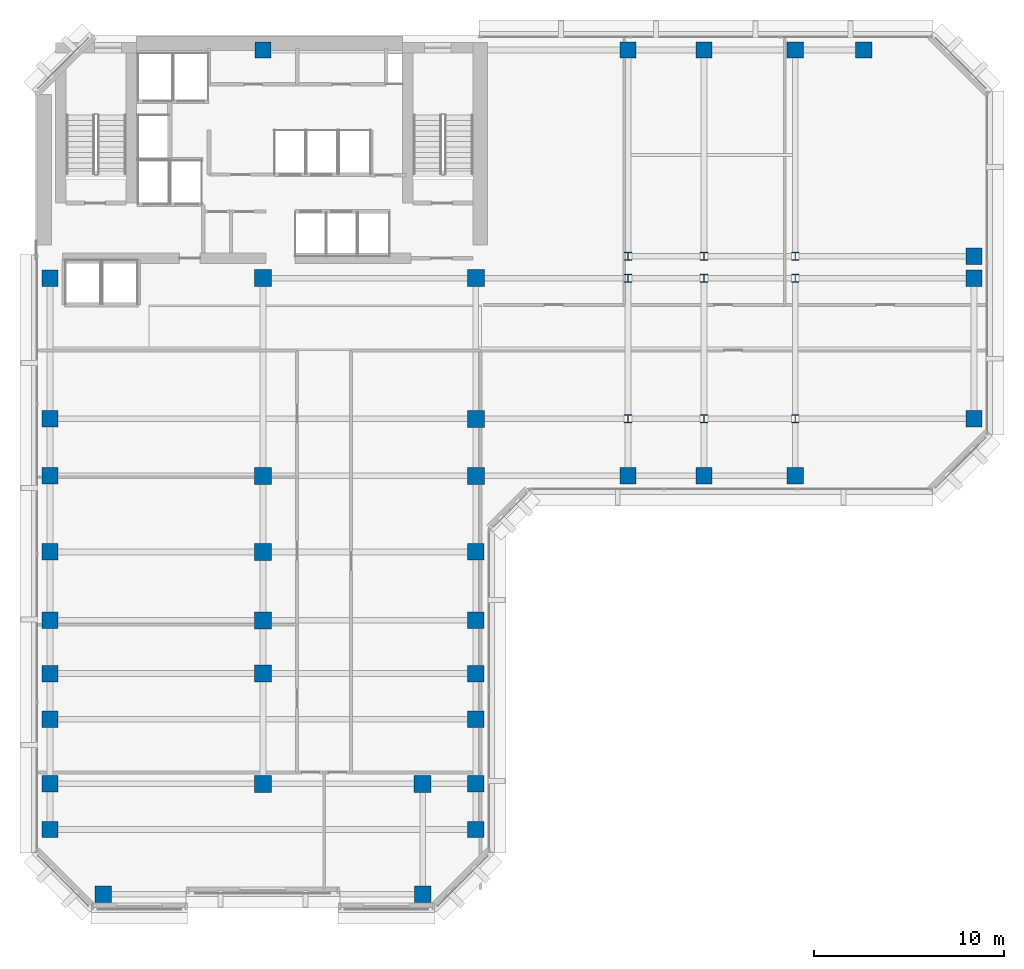
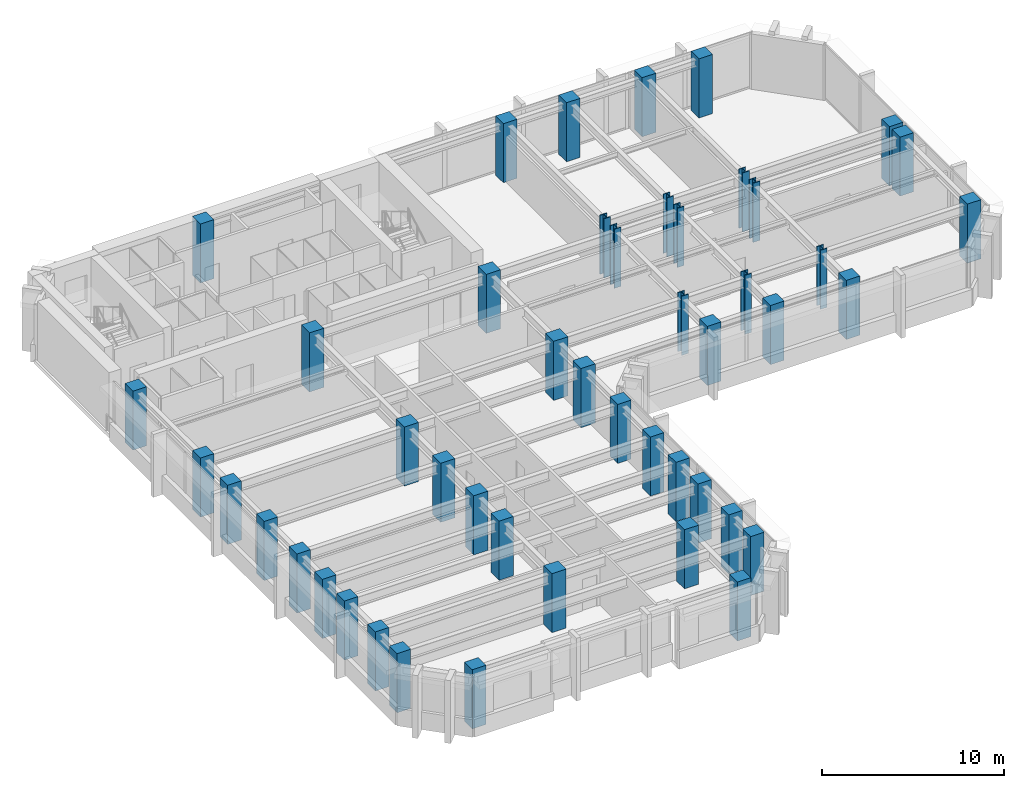
# One storey, part 1 of 11: 47 columns.
"""IFC4 building model written with IfcOpenShell, lengths in metres."""

import ifcopenshell
import ifcopenshell.guid

model = None  # the IFC model being written
_history = None  # IfcOwnerHistory: only IFC2X3 demands one
_inside = {}  # id of a spatial element -> (the spatial element, [elements in it])
_under = {}  # id of a project, library or spatial element -> (it, [spatial elements below it])
_declared = {}  # id of a project -> (the project, [libraries it declares])
_typed = {}  # id of a type object -> (the type object, [elements of that type])
_made_of = {}  # id of a material, layer set ... -> (it, [elements and type objects made of it])


def new_model(schema):
    """Start an empty IFC model of exactly this schema.

    Asked for "IFC4X3", IfcOpenShell would pick the latest addendum, in which some entities
    have other attributes; the version numbers below select the first issue.
    IFC2X3 requires an IfcOwnerHistory on every rooted entity: one is made here for all.
    """
    global model, _history
    if schema == "IFC4X3":
        model = ifcopenshell.file(schema_version=(4, 3, 0, 0))
    else:
        model = ifcopenshell.file(schema=schema)
    _inside.clear()
    _under.clear()
    _declared.clear()
    _typed.clear()
    _made_of.clear()
    _history = None
    if model.schema == "IFC2X3":
        org = make("IfcOrganization", Name="unknown")
        user = make(
            "IfcPersonAndOrganization",
            ThePerson=make("IfcPerson", FamilyName="unknown"),
            TheOrganization=org,
        )
        app = make(
            "IfcApplication",
            ApplicationDeveloper=org,
            Version="unknown",
            ApplicationFullName="unknown",
            ApplicationIdentifier="unknown",
        )
        _history = make(
            "IfcOwnerHistory",
            OwningUser=user,
            OwningApplication=app,
            ChangeAction="ADDED",
            CreationDate=0,
        )
    return model


def make(cls, **values):
    """One entity of the class cls with the attributes given. An attribute that is None is left unset."""
    return model.create_entity(
        cls, **{name: value for name, value in values.items() if value is not None}
    )


def rooted(cls, **values):
    """An entity with a GlobalId (a new one), such as an element, a storey or a relation."""
    return make(cls, GlobalId=ifcopenshell.guid.new(), OwnerHistory=_history, **values)


def si_unit(unit_type, name, prefix=None):
    """IfcSIUnit, for example si_unit("LENGTHUNIT", "METRE", prefix="MILLI")."""
    return make("IfcSIUnit", UnitType=unit_type, Prefix=prefix, Name=name)


def assignment(units):
    """IfcUnitAssignment: the units of a project."""
    return None if units is None else make("IfcUnitAssignment", Units=units)


def point(xyz):
    """IfcCartesianPoint."""
    return None if xyz is None else make("IfcCartesianPoint", Coordinates=xyz)


def direction(xyz):
    """IfcDirection."""
    return None if xyz is None else make("IfcDirection", DirectionRatios=xyz)


def frame(location, z_axis=None, x_axis=None):
    """IfcAxis2Placement3D, a coordinate frame: its origin and axes. An axis left out is left unset."""
    return make(
        "IfcAxis2Placement3D",
        Location=point(location),
        Axis=direction(z_axis),
        RefDirection=direction(x_axis),
    )


def frame_2d(location, x_axis=None):
    """IfcAxis2Placement2D, a coordinate frame in the plane: its origin and x axis."""
    return make(
        "IfcAxis2Placement2D", Location=point(location), RefDirection=direction(x_axis)
    )


def origin():
    """The frame at (0, 0, 0) with its axes left unset."""
    return frame((0.0, 0.0, 0.0))


def origin_2d():
    """The frame at (0, 0) in the plane with its x axis left unset."""
    return frame_2d((0.0, 0.0))


def place(relative_to, where):
    """IfcLocalPlacement: puts the frame where relative to a parent placement (None: the world)."""
    return make(
        "IfcLocalPlacement", PlacementRelTo=relative_to, RelativePlacement=where
    )


def context(
    kind, dimensions, precision=None, world=None, true_north=None, identifier=None
):
    """IfcGeometricRepresentationContext, for example the 3D "Model" context."""
    return make(
        "IfcGeometricRepresentationContext",
        ContextIdentifier=identifier,
        ContextType=kind,
        CoordinateSpaceDimension=dimensions,
        Precision=precision,
        WorldCoordinateSystem=world,
        TrueNorth=true_north,
    )


def subcontext(parent, identifier, kind, view, scale=None):
    """IfcGeometricRepresentationSubContext, for example "Body" below "Model"."""
    return make(
        "IfcGeometricRepresentationSubContext",
        ContextIdentifier=identifier,
        ContextType=kind,
        ParentContext=parent,
        TargetScale=scale,
        TargetView=view,
    )


def project(units=None, contexts=None):
    """IfcProject with its units and contexts."""
    return rooted(
        "IfcProject",
        Name="project",
        RepresentationContexts=contexts,
        UnitsInContext=assignment(units),
    )


def spatial(cls, under=None, at=None, **own):
    """A site, building, storey or space (cls), placed at a placement, below another one or the project."""
    s = rooted(cls, ObjectPlacement=at, **own)
    if under is not None:
        _under.setdefault(under.id(), (under, []))[1].append(s)
    return s


def profile(cls, at=None, kind="AREA", **sizes):
    """A parametric profile (cls). Its sizes go by their IFC names, for example OverallWidth=200.0."""
    return make(cls, ProfileType=kind, Position=at, **sizes)


def rectangle(**sizes):
    """IfcRectangleProfileDef."""
    return profile("IfcRectangleProfileDef", **sizes)


def i_section(**sizes):
    """IfcIShapeProfileDef."""
    return profile("IfcIShapeProfileDef", **sizes)


def extrude(swept, where, along, depth):
    """IfcExtrudedAreaSolid: the profile swept, set in the frame where, extruded along a direction by depth."""
    return make(
        "IfcExtrudedAreaSolid",
        SweptArea=swept,
        Position=where,
        ExtrudedDirection=direction(along),
        Depth=depth,
    )


def shape(context_of_items, identifier, shape_type, items):
    """IfcShapeRepresentation: the items that make up one representation, for example the "Body"."""
    return make(
        "IfcShapeRepresentation",
        ContextOfItems=context_of_items,
        RepresentationIdentifier=identifier,
        RepresentationType=shape_type,
        Items=items,
    )


def material(Name=None, Category=None):
    """IfcMaterial."""
    return make("IfcMaterial", Name=Name, Category=Category)


def material_profile(
    of_material, cross_section, Name=None, Category=None, Priority=None
):
    """IfcMaterialProfile: a cross section and its material."""
    return make(
        "IfcMaterialProfile",
        Name=Name,
        Material=of_material,
        Profile=cross_section,
        Priority=Priority,
        Category=Category,
    )


def profile_set(profiles, Name=None, composite=None):
    """IfcMaterialProfileSet."""
    return make(
        "IfcMaterialProfileSet",
        Name=Name,
        MaterialProfiles=profiles,
        CompositeProfile=composite,
    )


def made_of(thing, what):
    """Note that an element or type object is made of a material, layer set ...; save() writes the relation."""
    if what is not None:
        _made_of.setdefault(what.id(), (what, []))[1].append(thing)
    return thing


def type_object(cls, material=None, **own):
    """A type object (cls), such as IfcWallType, which elements share."""
    return made_of(rooted(cls, **own), material)


def element(
    cls,
    number,
    at=None,
    inside=None,
    cuts=None,
    type_object=None,
    material=None,
    context=None,
    identifier="Body",
    shape_type=None,
    held_by="IfcProductDefinitionShape",
    body=None,
    shapes=None,
    **own,
):
    """One element of the class cls, such as IfcWall. Its Tag is "e" and its number.

    at: its placement. inside: the storey or other place that contains it. cuts: it is an
    opening in that element (IfcRelVoidsElement). A single representation is given by context,
    identifier, shape_type and body (its items); several are given by shapes. held_by: the class
    of the entity that holds the representations. save() writes the other relations.
    """
    e = rooted(cls, Tag="e%d" % number, ObjectPlacement=at, **own)
    if body is not None:
        shapes = [shape(context, identifier, shape_type, body)]
    if shapes is not None:
        e.Representation = make(held_by, Representations=shapes)
    if inside is not None:
        _inside.setdefault(inside.id(), (inside, []))[1].append(e)
    if cuts is not None:
        rooted(
            "IfcRelVoidsElement", RelatingBuildingElement=cuts, RelatedOpeningElement=e
        )
    if type_object is not None:
        _typed.setdefault(type_object.id(), (type_object, []))[1].append(e)
    return made_of(e, material)


def aggregate(whole, parts):
    """IfcRelAggregates: a whole, such as a stair, and the parts it consists of."""
    return rooted("IfcRelAggregates", RelatingObject=whole, RelatedObjects=parts)


def save(model, path):
    """Write the relations noted so far, then the file.

    IfcRelAggregates (storeys below a building ...), IfcRelContainedInSpatialStructure (elements
    in a storey), IfcRelDefinesByType, IfcRelAssociatesMaterial and IfcRelDeclares: one each for
    every whole, place, type object, material and project.
    """
    for whole, parts in _under.values():
        aggregate(whole, parts)
    for where, things in _inside.values():
        rooted(
            "IfcRelContainedInSpatialStructure",
            RelatedElements=things,
            RelatingStructure=where,
        )
    for kind, things in _typed.values():
        rooted("IfcRelDefinesByType", RelatedObjects=things, RelatingType=kind)
    for what, things in _made_of.values():
        rooted("IfcRelAssociatesMaterial", RelatedObjects=things, RelatingMaterial=what)
    for by, libraries in _declared.values():
        rooted("IfcRelDeclares", RelatingContext=by, RelatedDefinitions=libraries)
    model.write(path)


model = new_model("IFC4")

# Units and contexts
model_context = context("Model", 3, precision=1e-05, world=origin(), true_north=direction((0.0, 1.0)))
body_context = subcontext(model_context, "Body", "Model", "MODEL_VIEW")
ifc_project = project(units=[si_unit("LENGTHUNIT", "METRE"), si_unit("AREAUNIT", "SQUARE_METRE"), si_unit("VOLUMEUNIT", "CUBIC_METRE"), si_unit("PLANEANGLEUNIT", "RADIAN"), si_unit("MASSUNIT", "GRAM", prefix="KILO")], contexts=[model_context])

# Site, building, storey
site_placement = place(None, origin())
site = spatial("IfcSite", under=ifc_project, at=site_placement, CompositionType="ELEMENT")
building_placement = place(site_placement, origin())
building = spatial("IfcBuilding", under=site, at=building_placement, Name="Kefirva Bronze Tower", CompositionType="ELEMENT")
storey_placement = place(building_placement, frame((0.0, 0.0, 162.68994140625)))
storey = spatial("IfcBuildingStorey", under=building, at=storey_placement, Name="L39", CompositionType="ELEMENT", Elevation=162.68994140625)

# Columns
ifc_material_1 = material(Name="Concrete C60/75", Category="concrete")
ifc_material_profile_1 = material_profile(ifc_material_1, rectangle(XDim=0.860107421875, YDim=0.860107421875, at=origin_2d()), Name="RC 860x860")
ifc_profile_set_1 = profile_set([ifc_material_profile_1], Name="Concrete C60/75")
column_type_1 = type_object("IfcColumnType", Name="RC Column 860x860 Ext", PredefinedType="COLUMN", material=ifc_profile_set_1)
for number, where, z_axis, x_axis, name in (
    (1, (0.800048828125, 4.199951171875, 0.0), (0.0, 0.0, 1.0), (1.0, 0.0, 0.0), "L39 Column C008_042"),
    (2, (0.800048828125, 6.60009765625, 0.0), (0.0, 0.0, 1.0), (1.0, 0.0, 0.0), "L39 Column C008_066"),
    (3, (0.800048828125, 10.0, 0.0), (0.0, 0.0, 1.0), (1.0, 0.0, 0.0), "L39 Column C008_100"),
    (4, (0.800048828125, 12.39990234375, 0.0), (0.0, 0.0, 1.0), (1.0, 0.0, 0.0), "L39 Column C008_124"),
    (5, (0.800048828125, 15.199951171875, 0.0), (0.0, 0.0, 1.0), (1.0, 0.0, 0.0), "L39 Column C008_152"),
    (6, (0.800048828125, 18.800048828125, 0.0), (0.0, 0.0, 1.0), (1.0, 0.0, 0.0), "L39 Column C008_188"),
    (7, (0.800048828125, 22.800048828125, 0.0), (0.0, 0.0, 1.0), (1.0, 0.0, 0.0), "L39 Column C008_228"),
    (8, (0.800048828125, 25.800048828125, 0.0), (0.0, 0.0, 1.0), (1.0, 0.0, 0.0), "L39 Column C008_258"),
    (9, (0.800048828125, 33.199951171875, 0.0), (0.0, 0.0, 1.0), (1.0, 0.0, 0.0), "L39 Column C008_332"),
    (10, (3.60009765625, 0.800048828125, 0.0), (0.0, 0.0, 1.0), (1.0, 0.0, 0.0), "L39 Column C036_008"),
    (11, (12.0, 45.199951171875, 0.0), (0.0, 0.0, 1.0), (1.0, 0.0, 0.0), "L39 Column C120_452"),
    (12, (20.39990234375, 0.800048828125, 0.0), (0.0, 0.0, 1.0), (1.0, 0.0, 0.0), "L39 Column C204_008"),
    (13, (23.199951171875, 4.199951171875, 0.0), (0.0, 0.0, 1.0), (1.0, 0.0, 0.0), "L39 Column C232_042"),
    (14, (23.199951171875, 6.60009765625, 0.0), (0.0, 0.0, 1.0), (1.0, 0.0, 0.0), "L39 Column C232_066"),
    (15, (23.199951171875, 10.0, 0.0), (0.0, 0.0, 1.0), (1.0, 0.0, 0.0), "L39 Column C232_100"),
    (16, (23.199951171875, 12.39990234375, 0.0), (0.0, 0.0, 1.0), (1.0, 0.0, 0.0), "L39 Column C232_124"),
    (17, (23.199951171875, 15.199951171875, 0.0), (0.0, 0.0, 1.0), (1.0, 0.0, 0.0), "L39 Column C232_152"),
    (18, (23.199951171875, 18.800048828125, 0.0), (0.0, 0.0, 1.0), (1.0, 0.0, 0.0), "L39 Column C232_188"),
    (19, (31.199951171875, 22.800048828125, 0.0), (0.0, 0.0, 1.0), (1.0, 0.0, 0.0), "L39 Column C312_228"),
    (20, (31.199951171875, 45.199951171875, 0.0), (0.0, 0.0, 1.0), (1.0, 0.0, 0.0), "L39 Column C312_452"),
    (21, (35.199951171875, 22.800048828125, 0.0), (0.0, 0.0, 1.0), (1.0, 0.0, 0.0), "L39 Column C352_228"),
    (22, (35.199951171875, 45.199951171875, 0.0), (0.0, 0.0, 1.0), (1.0, 0.0, 0.0), "L39 Column C352_452"),
    (23, (40.0, 22.800048828125, 0.0), (0.0, 0.0, 1.0), (1.0, 0.0, 0.0), "L39 Column C400_228"),
    (24, (40.0, 45.199951171875, 0.0), (0.0, 0.0, 1.0), (1.0, 0.0, 0.0), "L39 Column C400_452"),
    (25, (43.60009765625, 45.199951171875, 0.0), (0.0, 0.0, 1.0), (1.0, 0.0, 0.0), "L39 Column C436_452"),
    (26, (49.39990234375, 25.800048828125, 0.0), (0.0, 0.0, 1.0), (1.0, 0.0, 0.0), "L39 Column C494_258"),
    (27, (49.39990234375, 33.199951171875, 0.0), (0.0, 0.0, 1.0), (1.0, 0.0, 0.0), "L39 Column C494_332"),
    (28, (49.39990234375, 34.35009765625, 0.0), (0.0, 0.0, 1.0), (1.0, 0.0, 0.0), "L39 Column C494_344"),
):
    element("IfcColumn", number, at=place(storey_placement, frame(where, z_axis=z_axis, x_axis=x_axis)), inside=storey, type_object=column_type_1, Name=name, PredefinedType="COLUMN", context=body_context, shape_type="SweptSolid", body=[
        extrude(rectangle(XDim=0.860107421875, YDim=0.860107421875, at=origin_2d()), origin(), (0.0, 0.0, 1.0), 3.9599609375),
    ])
ifc_material_profile_2 = material_profile(ifc_material_1, rectangle(XDim=0.89990234375, YDim=0.89990234375, at=origin_2d()), Name="RC 900x900")
ifc_profile_set_2 = profile_set([ifc_material_profile_2], Name="Concrete C60/75")
column_type_2 = type_object("IfcColumnType", Name="RC Column 900x900 Int", PredefinedType="COLUMN", material=ifc_profile_set_2)
for number, where, z_axis, x_axis, name in (
    (29, (12.0, 6.60009765625, 0.0), (0.0, 0.0, 1.0), (1.0, 0.0, 0.0), "L39 Column C120_066"),
    (30, (12.0, 12.39990234375, 0.0), (0.0, 0.0, 1.0), (1.0, 0.0, 0.0), "L39 Column C120_124"),
    (31, (12.0, 15.199951171875, 0.0), (0.0, 0.0, 1.0), (1.0, 0.0, 0.0), "L39 Column C120_152"),
    (32, (12.0, 18.800048828125, 0.0), (0.0, 0.0, 1.0), (1.0, 0.0, 0.0), "L39 Column C120_188"),
    (33, (12.0, 22.800048828125, 0.0), (0.0, 0.0, 1.0), (1.0, 0.0, 0.0), "L39 Column C120_228"),
    (34, (12.0, 33.199951171875, 0.0), (0.0, 0.0, 1.0), (1.0, 0.0, 0.0), "L39 Column C120_332"),
    (35, (20.39990234375, 6.60009765625, 0.0), (0.0, 0.0, 1.0), (1.0, 0.0, 0.0), "L39 Column C204_066"),
    (36, (23.199951171875, 22.800048828125, 0.0), (0.0, 0.0, 1.0), (1.0, 0.0, 0.0), "L39 Column C232_228"),
    (37, (23.199951171875, 25.800048828125, 0.0), (0.0, 0.0, 1.0), (1.0, 0.0, 0.0), "L39 Column C232_258"),
    (38, (23.199951171875, 33.199951171875, 0.0), (0.0, 0.0, 1.0), (1.0, 0.0, 0.0), "L39 Column C232_332"),
):
    element("IfcColumn", number, at=place(storey_placement, frame(where, z_axis=z_axis, x_axis=x_axis)), inside=storey, type_object=column_type_2, Name=name, PredefinedType="COLUMN", context=body_context, shape_type="SweptSolid", body=[
        extrude(rectangle(XDim=0.89990234375, YDim=0.89990234375, at=origin_2d()), origin(), (0.0, 0.0, 1.0), 3.9599609375),
    ])
ifc_material_2 = material(Name="Steel S460", Category="steel")
ifc_material_profile_3 = material_profile(ifc_material_2, i_section(OverallWidth=0.41796875, OverallDepth=0.455078125, WebThickness=0.031982421875, FlangeThickness=0.051025390625, at=origin_2d()), Name="HD 400x551")
ifc_profile_set_3 = profile_set([ifc_material_profile_3], Name="Steel S460")
column_type_3 = type_object("IfcColumnType", Name="Steel Column HD 400x551", PredefinedType="COLUMN", material=ifc_profile_set_3)
for number, where, z_axis, x_axis, name in (
    (39, (31.199951171875, 25.800048828125, 0.0), (0.0, 0.0, 1.0), (1.0, 0.0, 0.0), "L39 Column C312_258"),
    (40, (31.199951171875, 33.199951171875, 0.0), (0.0, 0.0, 1.0), (1.0, 0.0, 0.0), "L39 Column C312_332"),
    (41, (31.199951171875, 34.35009765625, 0.0), (0.0, 0.0, 1.0), (1.0, 0.0, 0.0), "L39 Column C312_344"),
    (42, (35.199951171875, 25.800048828125, 0.0), (0.0, 0.0, 1.0), (1.0, 0.0, 0.0), "L39 Column C352_258"),
    (43, (35.199951171875, 33.199951171875, 0.0), (0.0, 0.0, 1.0), (1.0, 0.0, 0.0), "L39 Column C352_332"),
    (44, (35.199951171875, 34.35009765625, 0.0), (0.0, 0.0, 1.0), (1.0, 0.0, 0.0), "L39 Column C352_344"),
    (45, (40.0, 25.800048828125, 0.0), (0.0, 0.0, 1.0), (1.0, 0.0, 0.0), "L39 Column C400_258"),
    (46, (40.0, 33.199951171875, 0.0), (0.0, 0.0, 1.0), (1.0, 0.0, 0.0), "L39 Column C400_332"),
    (47, (40.0, 34.35009765625, 0.0), (0.0, 0.0, 1.0), (1.0, 0.0, 0.0), "L39 Column C400_344"),
):
    element("IfcColumn", number, at=place(storey_placement, frame(where, z_axis=z_axis, x_axis=x_axis)), inside=storey, type_object=column_type_3, Name=name, PredefinedType="COLUMN", context=body_context, shape_type="SweptSolid", body=[
        extrude(i_section(OverallWidth=0.41796875, OverallDepth=0.455078125, WebThickness=0.031982421875, FlangeThickness=0.051025390625, at=origin_2d()), origin(), (0.0, 0.0, 1.0), 3.9599609375),
    ])

save(model, "model.ifc")
